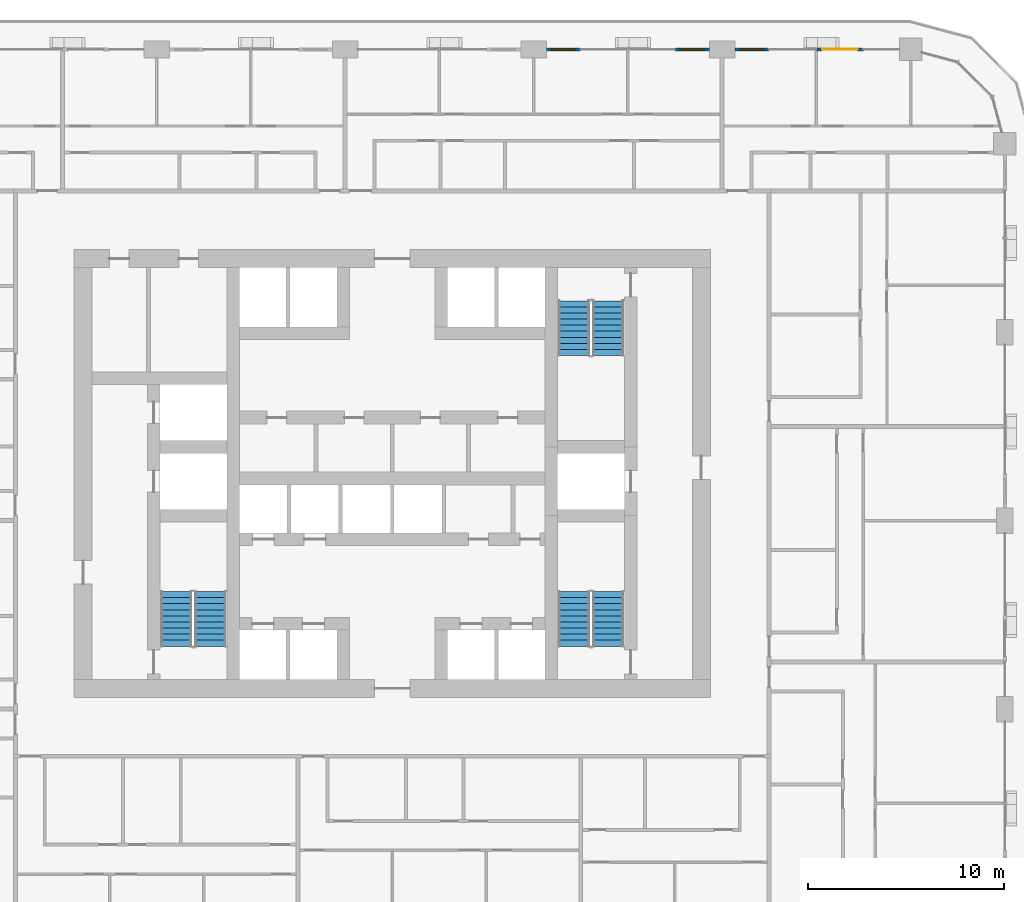
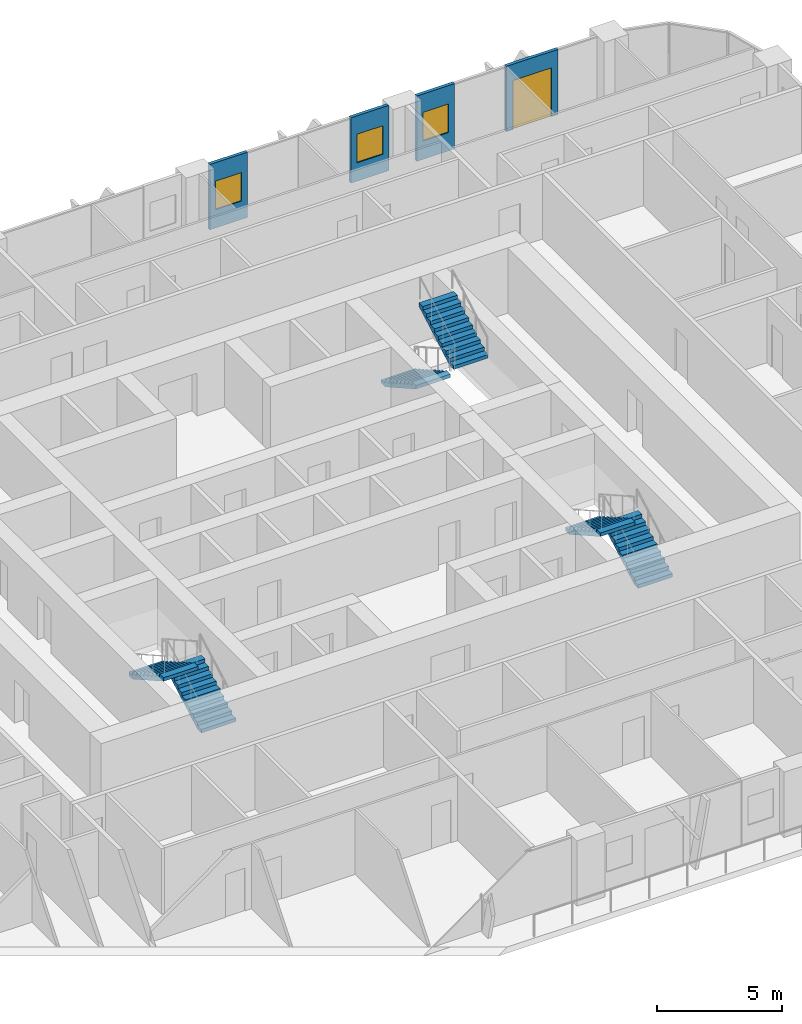
# One storey, part 16 of 22: 6 stair flights, 4 walls, 3 windows, 1 door, 4 openings, 3 elements without a shape of their own.
"""IFC4 building model written with IfcOpenShell, lengths in metres."""

from ifc_helpers import new_model, si_unit, direction, frame, frame_2d, origin, place, context, subcontext, project, spatial, polyline, rectangle, outline, extrude, material, layer, layer_set, type_object, element, fill, aggregate, save


model = new_model("IFC4")

# Units and contexts
model_context = context("Model", 3, precision=1e-05, world=origin(), true_north=direction((0.0, 1.0)))
body_context = subcontext(model_context, "Body", "Model", "MODEL_VIEW")
ifc_project = project(units=[si_unit("LENGTHUNIT", "METRE"), si_unit("AREAUNIT", "SQUARE_METRE"), si_unit("VOLUMEUNIT", "CUBIC_METRE"), si_unit("PLANEANGLEUNIT", "RADIAN"), si_unit("MASSUNIT", "GRAM", prefix="KILO")], contexts=[model_context])

# Site, building, storey
site_placement = place(None, origin())
site = spatial("IfcSite", under=ifc_project, at=site_placement, CompositionType="ELEMENT")
building_placement = place(site_placement, origin())
building = spatial("IfcBuilding", under=site, at=building_placement, Name="Madar Terraces", CompositionType="ELEMENT")
storey_placement = place(building_placement, frame((0.0, 0.0, 59.300048828125)))
storey = spatial("IfcBuildingStorey", under=building, at=storey_placement, Name="L14", CompositionType="ELEMENT", Elevation=59.300048828125)

# Wall, opening, door
ifc_material_1 = material(Name="Aluminium composite panel, black, over insulated backing", Category="aluminium")
ifc_layer = layer(ifc_material_1, 0.14990234375)
ifc_layer_set = layer_set([ifc_layer], Name="Facade bay panel 150")
wall_type = type_object("IfcWallType", Name="Facade bay panel 150", PredefinedType="SOLIDWALL", material=ifc_layer_set)
wall_1_placement = place(storey_placement, frame((55.199951171875, 48.0, 0.0), z_axis=(0.0, 0.0, 1.0), x_axis=(-1.0, 0.0, 0.0)))
wall_1 = element("IfcWall", 1, at=wall_1_placement, inside=storey, type_object=wall_type, Name="Facade bay panel", PredefinedType="SOLIDWALL", context=body_context, shape_type="SweptSolid", body=[
    extrude(rectangle(XDim=2.39990234375, YDim=0.14990234375, at=frame_2d((1.199951171875, 0.0))), origin(), (0.0, 0.0, 1.0), 3.199951171875),
])
opening_1_placement = place(wall_1_placement, frame((0.300048828125, 0.0, 0.0)))
opening_1 = element("IfcOpeningElement", 2, at=opening_1_placement, cuts=wall_1, Name="Opening ED1", PredefinedType="OPENING", context=body_context, shape_type="SweptSolid", body=[
    extrude(rectangle(XDim=1.800048828125, YDim=2.39990234375, at=frame_2d((0.89990234375, 1.199951171875))), frame((0.0, 0.0849609375, 0.0), z_axis=(0.0, -1.0, 0.0), x_axis=(1.0, 0.0, 0.0)), (0.0, 0.0, 1.0), 0.169921875),
])
ifc_material_2 = material(Name="Glass, clear, with black aluminium frame", Category="aluminium")
door_type = type_object("IfcDoorType", Name="Balcony and terrace sliding door 1800 x 2400", OperationType="SLIDING_TO_LEFT", PredefinedType="DOOR", material=ifc_material_2)
door_placement = place(opening_1_placement, origin())
door = element("IfcDoor", 3, at=door_placement, inside=storey, type_object=door_type, Name="Balcony door", OperationType="SLIDING_TO_RIGHT", OverallHeight=2.39990234375, OverallWidth=1.800048828125, PredefinedType="DOOR", context=body_context, shape_type="SweptSolid", body=[
    extrude(rectangle(XDim=1.800048828125, YDim=2.39990234375, at=frame_2d((0.89990234375, 1.199951171875))), frame((0.0, 0.02490234375, 0.0), z_axis=(0.0, -1.0, 0.0), x_axis=(1.0, 0.0, 0.0)), (0.0, 0.0, 1.0), 0.050048828125),
])
fill(opening_1, door)

# Wall, opening, window
wall_2_placement = place(storey_placement, frame((50.39990234375, 48.0, 0.0), z_axis=(0.0, 0.0, 1.0), x_axis=(-1.0, 0.0, 0.0)))
wall_2 = element("IfcWall", 4, at=wall_2_placement, inside=storey, type_object=wall_type, Name="Facade bay panel", PredefinedType="SOLIDWALL", context=body_context, shape_type="SweptSolid", body=[
    extrude(rectangle(XDim=1.75, YDim=0.14990234375, at=frame_2d((0.875, 0.0))), origin(), (0.0, 0.0, 1.0), 3.199951171875),
])
opening_2_placement = place(wall_2_placement, frame((0.27490234375, 0.0, 0.89990234375)))
opening_2 = element("IfcOpeningElement", 5, at=opening_2_placement, cuts=wall_2, Name="Opening W1", PredefinedType="OPENING", context=body_context, shape_type="SweptSolid", body=[
    extrude(rectangle(XDim=1.199951171875, YDim=1.39990234375, at=frame_2d((0.60009765625, 0.699951171875))), frame((0.0, 0.0849609375, 0.0), z_axis=(0.0, -1.0, 0.0), x_axis=(1.0, 0.0, 0.0)), (0.0, 0.0, 1.0), 0.169921875),
])
ifc_material_3 = material(Name="Glass, clear, with black aluminium frame", Category="aluminium")
window_type = type_object("IfcWindowType", Name="Vent window 1200 x 1400", PartitioningType="SINGLE_PANEL", PredefinedType="WINDOW", material=ifc_material_3)
window_1_placement = place(opening_2_placement, origin())
window_1 = element("IfcWindow", 6, at=window_1_placement, inside=storey, type_object=window_type, Name="Operable vent window", OverallHeight=1.39990234375, OverallWidth=1.199951171875, PartitioningType="SINGLE_PANEL", PredefinedType="WINDOW", context=body_context, shape_type="SweptSolid", body=[
    extrude(rectangle(XDim=1.199951171875, YDim=1.39990234375, at=frame_2d((0.60009765625, 0.699951171875))), frame((0.0, 0.030029296875, 0.0), z_axis=(0.0, -1.0, 0.0), x_axis=(1.0, 0.0, 0.0)), (0.0, 0.0, 1.0), 0.06005859375),
])
fill(opening_2, window_1)

wall_3_placement = place(storey_placement, frame((47.35009765625, 48.0, 0.0), z_axis=(0.0, 0.0, 1.0), x_axis=(-1.0, 0.0, 0.0)))
wall_3 = element("IfcWall", 7, at=wall_3_placement, inside=storey, type_object=wall_type, Name="Facade bay panel", PredefinedType="SOLIDWALL", context=body_context, shape_type="SweptSolid", body=[
    extrude(rectangle(XDim=1.75, YDim=0.14990234375, at=frame_2d((0.875, 0.0))), origin(), (0.0, 0.0, 1.0), 3.199951171875),
])
opening_3_placement = place(wall_3_placement, frame((0.27490234375, 0.0, 0.89990234375)))
opening_3 = element("IfcOpeningElement", 8, at=opening_3_placement, cuts=wall_3, Name="Opening W1", PredefinedType="OPENING", context=body_context, shape_type="SweptSolid", body=[
    extrude(rectangle(XDim=1.199951171875, YDim=1.39990234375, at=frame_2d((0.60009765625, 0.699951171875))), frame((0.0, 0.0849609375, 0.0), z_axis=(0.0, -1.0, 0.0), x_axis=(1.0, 0.0, 0.0)), (0.0, 0.0, 1.0), 0.169921875),
])
window_2_placement = place(opening_3_placement, origin())
window_2 = element("IfcWindow", 9, at=window_2_placement, inside=storey, type_object=window_type, Name="Operable vent window", OverallHeight=1.39990234375, OverallWidth=1.199951171875, PartitioningType="SINGLE_PANEL", PredefinedType="WINDOW", context=body_context, shape_type="SweptSolid", body=[
    extrude(rectangle(XDim=1.199951171875, YDim=1.39990234375, at=frame_2d((0.60009765625, 0.699951171875))), frame((0.0, 0.030029296875, 0.0), z_axis=(0.0, -1.0, 0.0), x_axis=(1.0, 0.0, 0.0)), (0.0, 0.0, 1.0), 0.06005859375),
])
fill(opening_3, window_2)

wall_4_placement = place(storey_placement, frame((40.800048828125, 48.0, 0.0), z_axis=(0.0, 0.0, 1.0), x_axis=(-1.0, 0.0, 0.0)))
wall_4 = element("IfcWall", 10, at=wall_4_placement, inside=storey, type_object=wall_type, Name="Facade bay panel", PredefinedType="SOLIDWALL", context=body_context, shape_type="SweptSolid", body=[
    extrude(rectangle(XDim=1.75, YDim=0.14990234375, at=frame_2d((0.875, 0.0))), origin(), (0.0, 0.0, 1.0), 3.199951171875),
])
opening_4_placement = place(wall_4_placement, frame((0.27490234375, 0.0, 0.89990234375)))
opening_4 = element("IfcOpeningElement", 11, at=opening_4_placement, cuts=wall_4, Name="Opening W1", PredefinedType="OPENING", context=body_context, shape_type="SweptSolid", body=[
    extrude(rectangle(XDim=1.199951171875, YDim=1.39990234375, at=frame_2d((0.60009765625, 0.699951171875))), frame((0.0, 0.0849609375, 0.0), z_axis=(0.0, -1.0, 0.0), x_axis=(1.0, 0.0, 0.0)), (0.0, 0.0, 1.0), 0.169921875),
])
window_3_placement = place(opening_4_placement, origin())
window_3 = element("IfcWindow", 12, at=window_3_placement, inside=storey, type_object=window_type, Name="Operable vent window", OverallHeight=1.39990234375, OverallWidth=1.199951171875, PartitioningType="SINGLE_PANEL", PredefinedType="WINDOW", context=body_context, shape_type="SweptSolid", body=[
    extrude(rectangle(XDim=1.199951171875, YDim=1.39990234375, at=frame_2d((0.60009765625, 0.699951171875))), frame((0.0, 0.030029296875, 0.0), z_axis=(0.0, -1.0, 0.0), x_axis=(1.0, 0.0, 0.0)), (0.0, 0.0, 1.0), 0.06005859375),
])
fill(opening_4, window_3)

# Stair, stair flights
ifc_material_4 = material(Name="Concrete C50/60", Category="concrete")
stair_type_1 = type_object("IfcStairType", Name="Stair ST1 protected exit", PredefinedType="HALF_TURN_STAIR", material=ifc_material_4)
stair_1_placement = place(storey_placement, origin())
stair_1 = element("IfcStair", 13, at=stair_1_placement, inside=storey, type_object=stair_type_1, Name="L14 Protected Exit Stair ST1", PredefinedType="HALF_TURN_STAIR")
ifc_material_5 = material(Name="Concrete C50/60", Category="concrete")
stair_flight_type_1 = type_object("IfcStairFlightType", Name="Stair flight ST1-F4, 1600 wide, 10 risers", PredefinedType="STRAIGHT", material=ifc_material_5)
stair_flight_1_placement = place(storey_placement, frame((21.949951171875, 17.60009765625, 0.0), z_axis=(0.0, 0.0, 1.0), x_axis=(0.0, 1.0, 0.0)))
stair_flight_1 = element("IfcStairFlight", 14, at=stair_flight_1_placement, type_object=stair_flight_type_1, Name="ST1 flight 1", NumberOfRisers=10, NumberOfTreads=9, PredefinedType="STRAIGHT", RiserHeight=0.175, TreadLength=0.31, context=body_context, shape_type="SweptSolid", body=[
    extrude(outline(polyline([(0.0, 0.0), (0.0, 0.175048828125), (0.31005859375, 0.175048828125), (0.31005859375, 0.35009765625), (0.6201171875, 0.35009765625), (0.6201171875, 0.52490234375), (0.929931640625, 0.52490234375), (0.929931640625, 0.699951171875), (1.239990234375, 0.699951171875), (1.239990234375, 0.875), (1.550048828125, 0.875), (1.550048828125, 1.050048828125), (1.860107421875, 1.050048828125), (1.860107421875, 1.22509765625), (2.169921875, 1.22509765625), (2.169921875, 1.39990234375), (2.47998046875, 1.39990234375), (2.47998046875, 1.574951171875), (2.7900390625, 1.574951171875), (2.7900390625, 1.75), (2.7900390625, 1.40283203125), (0.304931640625, 0.0), (0.0, 0.0)])), frame((0.0, 0.800048828125, 0.0), z_axis=(0.0, -1.0, 0.0), x_axis=(1.0, 0.0, 0.0)), (0.0, 0.0, 1.0), 1.60009765625),
])
stair_flight_2_placement = place(storey_placement, frame((20.199951171875, 20.389892578125, 1.75), z_axis=(0.0, 0.0, 1.0), x_axis=(0.0, -1.0, 0.0)))
stair_flight_2 = element("IfcStairFlight", 15, at=stair_flight_2_placement, type_object=stair_flight_type_1, Name="ST1 flight 2", NumberOfRisers=10, NumberOfTreads=9, PredefinedType="STRAIGHT", RiserHeight=0.175, TreadLength=0.31, context=body_context, shape_type="SweptSolid", body=[
    extrude(outline(polyline([(0.0, 0.0), (0.0, 0.175048828125), (0.31005859375, 0.175048828125), (0.31005859375, 0.35009765625), (0.6201171875, 0.35009765625), (0.6201171875, 0.52490234375), (0.929931640625, 0.52490234375), (0.929931640625, 0.699951171875), (1.239990234375, 0.699951171875), (1.239990234375, 0.875), (1.550048828125, 0.875), (1.550048828125, 1.050048828125), (1.860107421875, 1.050048828125), (1.860107421875, 1.22509765625), (2.169921875, 1.22509765625), (2.169921875, 1.39990234375), (2.47998046875, 1.39990234375), (2.47998046875, 1.574951171875), (2.7900390625, 1.574951171875), (2.7900390625, 1.75), (2.7900390625, 1.40283203125), (0.304931640625, 0.0), (0.0, 0.0)])), frame((0.0, 0.800048828125, 0.0), z_axis=(0.0, -1.0, 0.0), x_axis=(1.0, 0.0, 0.0)), (0.0, 0.0, 1.0), 1.60009765625),
])
aggregate(stair_1, [stair_flight_1, stair_flight_2])

ifc_material_6 = material(Name="Concrete C50/60", Category="concrete")
stair_type_2 = type_object("IfcStairType", Name="Stair ST2 protected exit", PredefinedType="HALF_TURN_STAIR", material=ifc_material_6)
stair_2_placement = place(storey_placement, origin())
stair_2 = element("IfcStair", 16, at=stair_2_placement, inside=storey, type_object=stair_type_2, Name="L14 Protected Exit Stair ST2", PredefinedType="HALF_TURN_STAIR")
ifc_material_7 = material(Name="Concrete C50/60", Category="concrete")
stair_flight_type_2 = type_object("IfcStairFlightType", Name="Stair flight ST2-F4, 1600 wide, 10 risers", PredefinedType="STRAIGHT", material=ifc_material_7)
stair_flight_3_placement = place(storey_placement, frame((40.449951171875, 35.199951171875, 0.0), z_axis=(0.0, 0.0, 1.0), x_axis=(0.0, -1.0, 0.0)))
stair_flight_3 = element("IfcStairFlight", 17, at=stair_flight_3_placement, type_object=stair_flight_type_2, Name="ST2 flight 1", NumberOfRisers=10, NumberOfTreads=9, PredefinedType="STRAIGHT", RiserHeight=0.175, TreadLength=0.31, context=body_context, shape_type="SweptSolid", body=[
    extrude(outline(polyline([(0.0, 0.0), (0.0, 0.175048828125), (0.31005859375, 0.175048828125), (0.31005859375, 0.35009765625), (0.6201171875, 0.35009765625), (0.6201171875, 0.52490234375), (0.929931640625, 0.52490234375), (0.929931640625, 0.699951171875), (1.239990234375, 0.699951171875), (1.239990234375, 0.875), (1.550048828125, 0.875), (1.550048828125, 1.050048828125), (1.860107421875, 1.050048828125), (1.860107421875, 1.22509765625), (2.169921875, 1.22509765625), (2.169921875, 1.39990234375), (2.47998046875, 1.39990234375), (2.47998046875, 1.574951171875), (2.7900390625, 1.574951171875), (2.7900390625, 1.75), (2.7900390625, 1.40283203125), (0.304931640625, 0.0), (0.0, 0.0)])), frame((0.0, 0.800048828125, 0.0), z_axis=(0.0, -1.0, 0.0), x_axis=(1.0, 0.0, 0.0)), (0.0, 0.0, 1.0), 1.60009765625),
])
stair_flight_4_placement = place(storey_placement, frame((42.199951171875, 32.409912109375, 1.75), z_axis=(0.0, 0.0, 1.0), x_axis=(0.0, 1.0, 0.0)))
stair_flight_4 = element("IfcStairFlight", 18, at=stair_flight_4_placement, type_object=stair_flight_type_2, Name="ST2 flight 2", NumberOfRisers=10, NumberOfTreads=9, PredefinedType="STRAIGHT", RiserHeight=0.175, TreadLength=0.31, context=body_context, shape_type="SweptSolid", body=[
    extrude(outline(polyline([(0.0, 0.0), (0.0, 0.175048828125), (0.31005859375, 0.175048828125), (0.31005859375, 0.35009765625), (0.6201171875, 0.35009765625), (0.6201171875, 0.52490234375), (0.929931640625, 0.52490234375), (0.929931640625, 0.699951171875), (1.239990234375, 0.699951171875), (1.239990234375, 0.875), (1.550048828125, 0.875), (1.550048828125, 1.050048828125), (1.860107421875, 1.050048828125), (1.860107421875, 1.22509765625), (2.169921875, 1.22509765625), (2.169921875, 1.39990234375), (2.47998046875, 1.39990234375), (2.47998046875, 1.574951171875), (2.7900390625, 1.574951171875), (2.7900390625, 1.75), (2.7900390625, 1.40283203125), (0.304931640625, 0.0), (0.0, 0.0)])), frame((0.0, 0.800048828125, 0.0), z_axis=(0.0, -1.0, 0.0), x_axis=(1.0, 0.0, 0.0)), (0.0, 0.0, 1.0), 1.60009765625),
])
aggregate(stair_2, [stair_flight_3, stair_flight_4])

ifc_material_8 = material(Name="Concrete C50/60", Category="concrete")
stair_type_3 = type_object("IfcStairType", Name="Stair ST3 protected exit", PredefinedType="HALF_TURN_STAIR", material=ifc_material_8)
stair_3_placement = place(storey_placement, origin())
stair_3 = element("IfcStair", 19, at=stair_3_placement, inside=storey, type_object=stair_type_3, Name="L14 Protected Exit Stair ST3", PredefinedType="HALF_TURN_STAIR")
ifc_material_9 = material(Name="Concrete C50/60", Category="concrete")
stair_flight_type_3 = type_object("IfcStairFlightType", Name="Stair flight ST3-F4, 1600 wide, 10 risers", PredefinedType="STRAIGHT", material=ifc_material_9)
stair_flight_5_placement = place(storey_placement, frame((42.199951171875, 17.60009765625, 0.0), z_axis=(0.0, 0.0, 1.0), x_axis=(0.0, 1.0, 0.0)))
stair_flight_5 = element("IfcStairFlight", 20, at=stair_flight_5_placement, type_object=stair_flight_type_3, Name="ST3 flight 1", NumberOfRisers=10, NumberOfTreads=9, PredefinedType="STRAIGHT", RiserHeight=0.175, TreadLength=0.31, context=body_context, shape_type="SweptSolid", body=[
    extrude(outline(polyline([(0.0, 0.0), (0.0, 0.175048828125), (0.31005859375, 0.175048828125), (0.31005859375, 0.35009765625), (0.6201171875, 0.35009765625), (0.6201171875, 0.52490234375), (0.929931640625, 0.52490234375), (0.929931640625, 0.699951171875), (1.239990234375, 0.699951171875), (1.239990234375, 0.875), (1.550048828125, 0.875), (1.550048828125, 1.050048828125), (1.860107421875, 1.050048828125), (1.860107421875, 1.22509765625), (2.169921875, 1.22509765625), (2.169921875, 1.39990234375), (2.47998046875, 1.39990234375), (2.47998046875, 1.574951171875), (2.7900390625, 1.574951171875), (2.7900390625, 1.75), (2.7900390625, 1.40283203125), (0.304931640625, 0.0), (0.0, 0.0)])), frame((0.0, 0.800048828125, 0.0), z_axis=(0.0, -1.0, 0.0), x_axis=(1.0, 0.0, 0.0)), (0.0, 0.0, 1.0), 1.60009765625),
])
stair_flight_6_placement = place(storey_placement, frame((40.449951171875, 20.389892578125, 1.75), z_axis=(0.0, 0.0, 1.0), x_axis=(0.0, -1.0, 0.0)))
stair_flight_6 = element("IfcStairFlight", 21, at=stair_flight_6_placement, type_object=stair_flight_type_3, Name="ST3 flight 2", NumberOfRisers=10, NumberOfTreads=9, PredefinedType="STRAIGHT", RiserHeight=0.175, TreadLength=0.31, context=body_context, shape_type="SweptSolid", body=[
    extrude(outline(polyline([(0.0, 0.0), (0.0, 0.175048828125), (0.31005859375, 0.175048828125), (0.31005859375, 0.35009765625), (0.6201171875, 0.35009765625), (0.6201171875, 0.52490234375), (0.929931640625, 0.52490234375), (0.929931640625, 0.699951171875), (1.239990234375, 0.699951171875), (1.239990234375, 0.875), (1.550048828125, 0.875), (1.550048828125, 1.050048828125), (1.860107421875, 1.050048828125), (1.860107421875, 1.22509765625), (2.169921875, 1.22509765625), (2.169921875, 1.39990234375), (2.47998046875, 1.39990234375), (2.47998046875, 1.574951171875), (2.7900390625, 1.574951171875), (2.7900390625, 1.75), (2.7900390625, 1.40283203125), (0.304931640625, 0.0), (0.0, 0.0)])), frame((0.0, 0.800048828125, 0.0), z_axis=(0.0, -1.0, 0.0), x_axis=(1.0, 0.0, 0.0)), (0.0, 0.0, 1.0), 1.60009765625),
])
aggregate(stair_3, [stair_flight_5, stair_flight_6])

save(model, "model.ifc")
